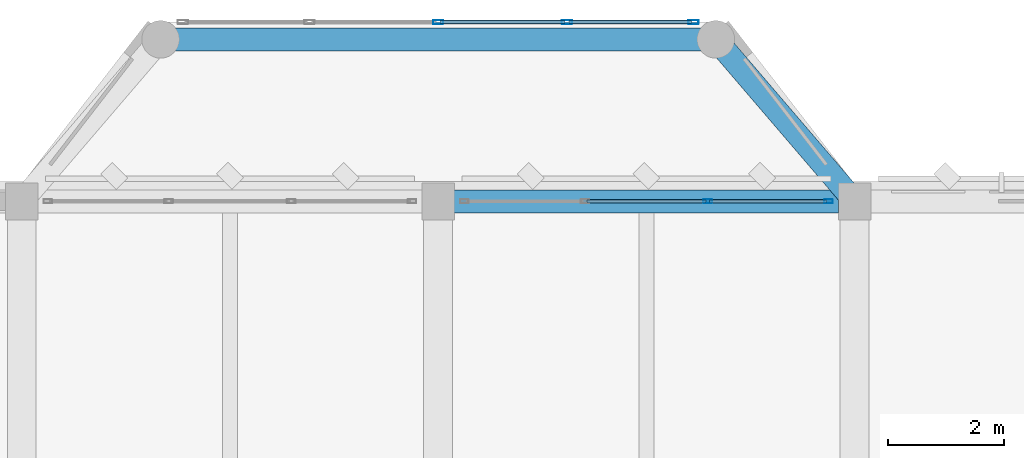
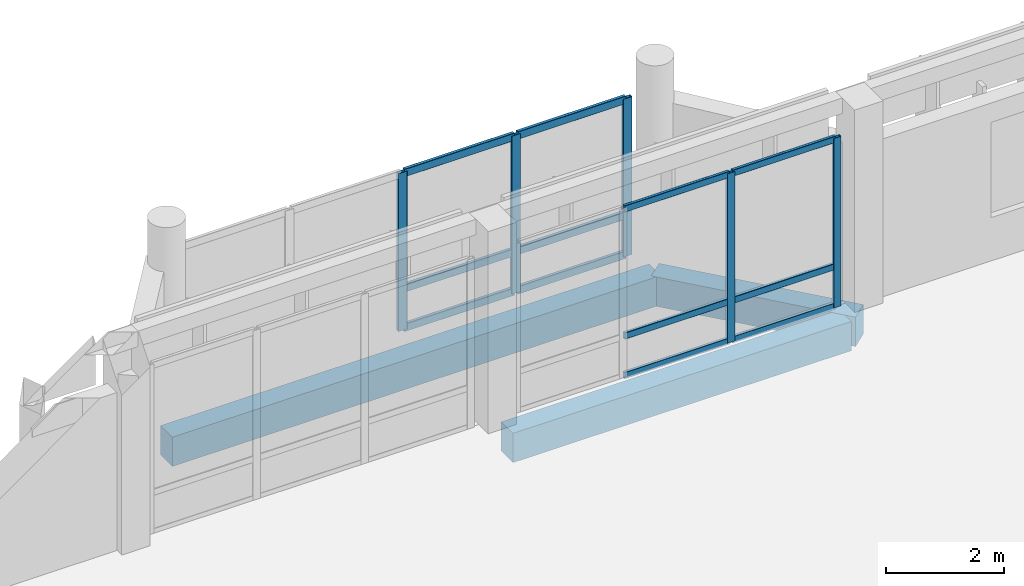
# One storey, part 113 of 158: 17 members, 3 beams, 2 elements without a shape of their own.
"""IFC4 building model written with IfcOpenShell, lengths in metres."""

from ifc_helpers import new_model, si_unit, direction, frame, origin, origin_2d, place, context, subcontext, project, spatial, rectangle, hollow_rectangle, extrude, material, material_profile, profile_set, type_object, element, aggregate, save


model = new_model("IFC4")

# Units and contexts
model_context = context("Model", 3, precision=1e-05, world=origin(), true_north=direction((0.0, 1.0)))
body_context = subcontext(model_context, "Body", "Model", "MODEL_VIEW")
ifc_project = project(units=[si_unit("LENGTHUNIT", "METRE"), si_unit("AREAUNIT", "SQUARE_METRE"), si_unit("VOLUMEUNIT", "CUBIC_METRE"), si_unit("PLANEANGLEUNIT", "RADIAN"), si_unit("MASSUNIT", "GRAM", prefix="KILO")], contexts=[model_context])

# Site, building, storey
site_placement = place(None, origin())
site = spatial("IfcSite", under=ifc_project, at=site_placement, CompositionType="ELEMENT")
building_placement = place(site_placement, origin())
building = spatial("IfcBuilding", under=site, at=building_placement, Name="Lusvemor Sports Hall", CompositionType="ELEMENT")
storey_placement = place(building_placement, frame((0.0, 0.0, 10.800048828125)))
storey = spatial("IfcBuildingStorey", under=building, at=storey_placement, Name="L02", CompositionType="ELEMENT", Elevation=10.800048828125)

# Curtain wall, members
ifc_material_1 = material(Name="Thermally broken bronze-anodized aluminium", Category="aluminium")
curtain_wall_type_1 = type_object("IfcCurtainWallType", Name="CW_FOYER_A", PredefinedType="NOTDEFINED", material=ifc_material_1)
curtain_wall_1_placement = place(storey_placement, origin())
curtain_wall_1 = element("IfcCurtainWall", 1, at=curtain_wall_1_placement, inside=storey, type_object=curtain_wall_type_1, Name="Curtain Wall CW-BOW-N3-L02-M", PredefinedType="NOTDEFINED")
ifc_material_2 = material(Name="Thermally broken bronze-anodized aluminium", Category="aluminium")
ifc_material_profile_1 = material_profile(ifc_material_2, hollow_rectangle(XDim=0.070068359375, YDim=0.179931640625, WallThickness=0.0048828125, InnerFilletRadius=0.0048828125, OuterFilletRadius=0.010009765625, at=origin_2d()), Name="CWMUL180x70x5")
ifc_profile_set_1 = profile_set([ifc_material_profile_1], Name="Thermally broken bronze-anodized aluminium")
member_type_1 = type_object("IfcMemberType", Name="CW_MUL_A", PredefinedType="MULLION", material=ifc_profile_set_1)
member_1_placement = place(storey_placement, frame((133.199951171875, 118.300048828125, 0.0), z_axis=(0.0, 0.0, 1.0), x_axis=(0.0, 1.0, 0.0)))
member_1 = element("IfcMember", 2, at=member_1_placement, type_object=member_type_1, Name="CW01 mullion 3", PredefinedType="MULLION", context=body_context, shape_type="SweptSolid", body=[
    extrude(hollow_rectangle(XDim=0.070068359375, YDim=0.179931640625, WallThickness=0.0048828125, InnerFilletRadius=0.0048828125, OuterFilletRadius=0.010009765625, at=origin_2d()), origin(), (0.0, 0.0, 1.0), 3.280029296875),
])
member_2_placement = place(storey_placement, frame((135.425048828125, 118.300048828125, 0.0), z_axis=(0.0, 0.0, 1.0), x_axis=(0.0, 1.0, 0.0)))
member_2 = element("IfcMember", 3, at=member_2_placement, type_object=member_type_1, Name="CW01 mullion 4", PredefinedType="MULLION", context=body_context, shape_type="SweptSolid", body=[
    extrude(hollow_rectangle(XDim=0.070068359375, YDim=0.179931640625, WallThickness=0.0048828125, InnerFilletRadius=0.0048828125, OuterFilletRadius=0.010009765625, at=origin_2d()), origin(), (0.0, 0.0, 1.0), 3.280029296875),
])
member_3_placement = place(storey_placement, frame((137.614990234375, 118.300048828125, 0.0), z_axis=(0.0, 0.0, 1.0), x_axis=(0.0, 1.0, 0.0)))
member_3 = element("IfcMember", 4, at=member_3_placement, type_object=member_type_1, Name="CW01 mullion 5", PredefinedType="MULLION", context=body_context, shape_type="SweptSolid", body=[
    extrude(hollow_rectangle(XDim=0.070068359375, YDim=0.179931640625, WallThickness=0.0048828125, InnerFilletRadius=0.0048828125, OuterFilletRadius=0.010009765625, at=origin_2d()), origin(), (0.0, 0.0, 1.0), 3.280029296875),
])

ifc_material_3 = material(Name="Thermally broken bronze-anodized aluminium", Category="aluminium")
curtain_wall_type_2 = type_object("IfcCurtainWallType", Name="CW_WING_B", PredefinedType="NOTDEFINED", material=ifc_material_3)
curtain_wall_2_placement = place(storey_placement, origin())
curtain_wall_2 = element("IfcCurtainWall", 5, at=curtain_wall_2_placement, inside=storey, type_object=curtain_wall_type_2, Name="Curtain Wall CW-L02-N-1-14", PredefinedType="NOTDEFINED")
ifc_material_4 = material(Name="Thermally broken bronze-anodized aluminium", Category="aluminium")
ifc_material_profile_2 = material_profile(ifc_material_4, hollow_rectangle(XDim=0.06494140625, YDim=0.14990234375, WallThickness=0.00390625, InnerFilletRadius=0.00390625, OuterFilletRadius=0.008056640625, at=origin_2d()), Name="CWMUL150x65x4")
ifc_profile_set_2 = profile_set([ifc_material_profile_2], Name="Thermally broken bronze-anodized aluminium")
member_type_2 = type_object("IfcMemberType", Name="CW_MUL_B", PredefinedType="MULLION", material=ifc_profile_set_2)
member_4_placement = place(storey_placement, frame((137.860107421875, 115.199951171875, 0.0), z_axis=(0.0, 0.0, 1.0), x_axis=(0.0, 1.0, 0.0)))
member_4 = element("IfcMember", 6, at=member_4_placement, type_object=member_type_2, Name="CW02 mullion 3", PredefinedType="MULLION", context=body_context, shape_type="SweptSolid", body=[
    extrude(hollow_rectangle(XDim=0.06494140625, YDim=0.14990234375, WallThickness=0.00390625, InnerFilletRadius=0.00390625, OuterFilletRadius=0.008056640625, at=origin_2d()), origin(), (0.0, 0.0, 1.0), 3.52001953125),
])
member_5_placement = place(storey_placement, frame((139.947509765625, 115.199951171875, 0.0), z_axis=(0.0, 0.0, 1.0), x_axis=(0.0, 1.0, 0.0)))
member_5 = element("IfcMember", 7, at=member_5_placement, type_object=member_type_2, Name="CW02 mullion 4", PredefinedType="MULLION", context=body_context, shape_type="SweptSolid", body=[
    extrude(hollow_rectangle(XDim=0.06494140625, YDim=0.14990234375, WallThickness=0.00390625, InnerFilletRadius=0.00390625, OuterFilletRadius=0.008056640625, at=origin_2d()), origin(), (0.0, 0.0, 1.0), 3.52001953125),
])

# Member
ifc_material_5 = material(Name="Thermally broken bronze-anodized aluminium", Category="aluminium")
ifc_material_profile_3 = material_profile(ifc_material_5, hollow_rectangle(XDim=0.06494140625, YDim=0.159912109375, WallThickness=0.00390625, InnerFilletRadius=0.00390625, OuterFilletRadius=0.008056640625, at=origin_2d()), Name="CWTRN160x65x4")
ifc_profile_set_3 = profile_set([ifc_material_profile_3], Name="Thermally broken bronze-anodized aluminium")
member_type_3 = type_object("IfcMemberType", Name="CW_TRN_A", PredefinedType="USERDEFINED", material=ifc_profile_set_3)
member_6_placement = place(storey_placement, frame((133.235107421875, 118.300048828125, 0.032470703125), z_axis=(1.0, 0.0, 0.0), x_axis=(0.0, 1.0, 0.0)))
member_6 = element("IfcMember", 8, at=member_6_placement, type_object=member_type_3, Name="CW01 transom 3.1", ObjectType="TRANSOM", PredefinedType="USERDEFINED", context=body_context, shape_type="SweptSolid", body=[
    extrude(hollow_rectangle(XDim=0.06494140625, YDim=0.159912109375, WallThickness=0.00390625, InnerFilletRadius=0.00390625, OuterFilletRadius=0.008056640625, at=origin_2d()), origin(), (0.0, 0.0, 1.0), 2.15478515625),
])

member_7_placement = place(storey_placement, frame((133.235107421875, 118.300048828125, 0.849853515625), z_axis=(1.0, 0.0, 0.0), x_axis=(0.0, 1.0, 0.0)))
member_7 = element("IfcMember", 9, at=member_7_placement, type_object=member_type_3, Name="CW01 transom 3.2", ObjectType="TRANSOM", PredefinedType="USERDEFINED", context=body_context, shape_type="SweptSolid", body=[
    extrude(hollow_rectangle(XDim=0.06494140625, YDim=0.159912109375, WallThickness=0.00390625, InnerFilletRadius=0.00390625, OuterFilletRadius=0.008056640625, at=origin_2d()), origin(), (0.0, 0.0, 1.0), 2.15478515625),
])

member_8_placement = place(storey_placement, frame((133.235107421875, 118.300048828125, 3.24755859375), z_axis=(1.0, 0.0, 0.0), x_axis=(0.0, 1.0, 0.0)))
member_8 = element("IfcMember", 10, at=member_8_placement, type_object=member_type_3, Name="CW01 transom 3.3", ObjectType="TRANSOM", PredefinedType="USERDEFINED", context=body_context, shape_type="SweptSolid", body=[
    extrude(hollow_rectangle(XDim=0.06494140625, YDim=0.159912109375, WallThickness=0.00390625, InnerFilletRadius=0.00390625, OuterFilletRadius=0.008056640625, at=origin_2d()), origin(), (0.0, 0.0, 1.0), 2.15478515625),
])

member_9_placement = place(storey_placement, frame((135.4599609375, 118.300048828125, 0.032470703125), z_axis=(1.0, 0.0, 0.0), x_axis=(0.0, 1.0, 0.0)))
member_9 = element("IfcMember", 11, at=member_9_placement, type_object=member_type_3, Name="CW01 transom 4.1", ObjectType="TRANSOM", PredefinedType="USERDEFINED", context=body_context, shape_type="SweptSolid", body=[
    extrude(hollow_rectangle(XDim=0.06494140625, YDim=0.159912109375, WallThickness=0.00390625, InnerFilletRadius=0.00390625, OuterFilletRadius=0.008056640625, at=origin_2d()), origin(), (0.0, 0.0, 1.0), 2.1201171875),
])

member_10_placement = place(storey_placement, frame((135.4599609375, 118.300048828125, 0.849853515625), z_axis=(1.0, 0.0, 0.0), x_axis=(0.0, 1.0, 0.0)))
member_10 = element("IfcMember", 12, at=member_10_placement, type_object=member_type_3, Name="CW01 transom 4.2", ObjectType="TRANSOM", PredefinedType="USERDEFINED", context=body_context, shape_type="SweptSolid", body=[
    extrude(hollow_rectangle(XDim=0.06494140625, YDim=0.159912109375, WallThickness=0.00390625, InnerFilletRadius=0.00390625, OuterFilletRadius=0.008056640625, at=origin_2d()), origin(), (0.0, 0.0, 1.0), 2.1201171875),
])

member_11_placement = place(storey_placement, frame((135.4599609375, 118.300048828125, 3.24755859375), z_axis=(1.0, 0.0, 0.0), x_axis=(0.0, 1.0, 0.0)))
member_11 = element("IfcMember", 13, at=member_11_placement, type_object=member_type_3, Name="CW01 transom 4.3", ObjectType="TRANSOM", PredefinedType="USERDEFINED", context=body_context, shape_type="SweptSolid", body=[
    extrude(hollow_rectangle(XDim=0.06494140625, YDim=0.159912109375, WallThickness=0.00390625, InnerFilletRadius=0.00390625, OuterFilletRadius=0.008056640625, at=origin_2d()), origin(), (0.0, 0.0, 1.0), 2.1201171875),
])

aggregate(curtain_wall_1, [member_1, member_2, member_3, member_6, member_7, member_8, member_9, member_10, member_11])

ifc_material_6 = material(Name="Thermally broken bronze-anodized aluminium", Category="aluminium")
ifc_material_profile_4 = material_profile(ifc_material_6, hollow_rectangle(XDim=0.06005859375, YDim=0.135009765625, WallThickness=0.00390625, InnerFilletRadius=0.00390625, OuterFilletRadius=0.008056640625, at=origin_2d()), Name="CWTRN135x60x4")
ifc_profile_set_4 = profile_set([ifc_material_profile_4], Name="Thermally broken bronze-anodized aluminium")
member_type_4 = type_object("IfcMemberType", Name="CW_TRN_B", PredefinedType="USERDEFINED", material=ifc_profile_set_4)
member_12_placement = place(storey_placement, frame((135.7724609375, 115.199951171875, 0.030029296875), z_axis=(1.0, 0.0, 0.0), x_axis=(0.0, 1.0, 0.0)))
member_12 = element("IfcMember", 14, at=member_12_placement, type_object=member_type_4, Name="CW02 transom 2.1", ObjectType="TRANSOM", PredefinedType="USERDEFINED", context=body_context, shape_type="SweptSolid", body=[
    extrude(hollow_rectangle(XDim=0.06005859375, YDim=0.135009765625, WallThickness=0.00390625, InnerFilletRadius=0.00390625, OuterFilletRadius=0.008056640625, at=origin_2d()), origin(), (0.0, 0.0, 1.0), 2.054931640625),
])

member_13_placement = place(storey_placement, frame((135.7724609375, 115.199951171875, 0.849853515625), z_axis=(1.0, 0.0, 0.0), x_axis=(0.0, 1.0, 0.0)))
member_13 = element("IfcMember", 15, at=member_13_placement, type_object=member_type_4, Name="CW02 transom 2.2", ObjectType="TRANSOM", PredefinedType="USERDEFINED", context=body_context, shape_type="SweptSolid", body=[
    extrude(hollow_rectangle(XDim=0.06005859375, YDim=0.135009765625, WallThickness=0.00390625, InnerFilletRadius=0.00390625, OuterFilletRadius=0.008056640625, at=origin_2d()), origin(), (0.0, 0.0, 1.0), 2.054931640625),
])

member_14_placement = place(storey_placement, frame((135.7724609375, 115.199951171875, 3.489990234375), z_axis=(1.0, 0.0, 0.0), x_axis=(0.0, 1.0, 0.0)))
member_14 = element("IfcMember", 16, at=member_14_placement, type_object=member_type_4, Name="CW02 transom 2.3", ObjectType="TRANSOM", PredefinedType="USERDEFINED", context=body_context, shape_type="SweptSolid", body=[
    extrude(hollow_rectangle(XDim=0.06005859375, YDim=0.135009765625, WallThickness=0.00390625, InnerFilletRadius=0.00390625, OuterFilletRadius=0.008056640625, at=origin_2d()), origin(), (0.0, 0.0, 1.0), 2.054931640625),
])

member_15_placement = place(storey_placement, frame((137.892578125, 115.199951171875, 0.030029296875), z_axis=(1.0, 0.0, 0.0), x_axis=(0.0, 1.0, 0.0)))
member_15 = element("IfcMember", 17, at=member_15_placement, type_object=member_type_4, Name="CW02 transom 3.1", ObjectType="TRANSOM", PredefinedType="USERDEFINED", context=body_context, shape_type="SweptSolid", body=[
    extrude(hollow_rectangle(XDim=0.06005859375, YDim=0.135009765625, WallThickness=0.00390625, InnerFilletRadius=0.00390625, OuterFilletRadius=0.008056640625, at=origin_2d()), origin(), (0.0, 0.0, 1.0), 2.0224609375),
])

member_16_placement = place(storey_placement, frame((137.892578125, 115.199951171875, 0.849853515625), z_axis=(1.0, 0.0, 0.0), x_axis=(0.0, 1.0, 0.0)))
member_16 = element("IfcMember", 18, at=member_16_placement, type_object=member_type_4, Name="CW02 transom 3.2", ObjectType="TRANSOM", PredefinedType="USERDEFINED", context=body_context, shape_type="SweptSolid", body=[
    extrude(hollow_rectangle(XDim=0.06005859375, YDim=0.135009765625, WallThickness=0.00390625, InnerFilletRadius=0.00390625, OuterFilletRadius=0.008056640625, at=origin_2d()), origin(), (0.0, 0.0, 1.0), 2.0224609375),
])

member_17_placement = place(storey_placement, frame((137.892578125, 115.199951171875, 3.489990234375), z_axis=(1.0, 0.0, 0.0), x_axis=(0.0, 1.0, 0.0)))
member_17 = element("IfcMember", 19, at=member_17_placement, type_object=member_type_4, Name="CW02 transom 3.3", ObjectType="TRANSOM", PredefinedType="USERDEFINED", context=body_context, shape_type="SweptSolid", body=[
    extrude(hollow_rectangle(XDim=0.06005859375, YDim=0.135009765625, WallThickness=0.00390625, InnerFilletRadius=0.00390625, OuterFilletRadius=0.008056640625, at=origin_2d()), origin(), (0.0, 0.0, 1.0), 2.0224609375),
])

aggregate(curtain_wall_2, [member_4, member_5, member_12, member_13, member_14, member_15, member_16, member_17])

# Beams
ifc_material_7 = material(Name="Concrete C40/50", Category="concrete")
ifc_material_profile_5 = material_profile(ifc_material_7, rectangle(XDim=0.39990234375, YDim=0.610107421875, at=origin_2d()), Name="RC400x610")
ifc_profile_set_5 = profile_set([ifc_material_profile_5], Name="Concrete C40/50")
beam_type = type_object("IfcBeamType", Name="SPAND_EXT_650", PredefinedType="SPANDREL", material=ifc_profile_set_5)
beam_1_placement = place(storey_placement, frame((133.47607421875, 115.199951171875, -0.56494140625), z_axis=(1.0, 0.0, 0.0), x_axis=(0.0, 1.0, 0.0)))
element("IfcBeam", 20, at=beam_1_placement, inside=storey, type_object=beam_type, Name="Beam L02 Q:15-16", PredefinedType="SPANDREL", context=body_context, shape_type="SweptSolid", body=[
    extrude(rectangle(XDim=0.39990234375, YDim=0.610107421875, at=origin_2d()), origin(), (0.0, 0.0, 1.0), 6.64794921875),
])
beam_2_placement = place(storey_placement, frame((128.39990234375, 118.0, -0.56494140625), z_axis=(1.0, 0.0, 0.0), x_axis=(0.0, 1.0, 0.0)))
element("IfcBeam", 21, at=beam_2_placement, inside=storey, type_object=beam_type, Name="Bow Pavilion Edge Beam BOW-N3 L02-2", PredefinedType="SPANDREL", context=body_context, shape_type="SweptSolid", body=[
    extrude(rectangle(XDim=0.39990234375, YDim=0.610107421875, at=origin_2d()), origin(), (0.0, 0.0, 1.0), 9.60009765625),
])
beam_3_placement = place(storey_placement, frame((138.0, 118.0, -0.56494140625), z_axis=(0.650769565339, -0.759275294494, 0.0), x_axis=(0.759275294494, 0.650769565339, 0.0)))
element("IfcBeam", 22, at=beam_3_placement, inside=storey, type_object=beam_type, Name="Bow Pavilion Edge Beam BOW-N3 L02-3", PredefinedType="SPANDREL", context=body_context, shape_type="SweptSolid", body=[
    extrude(rectangle(XDim=0.39990234375, YDim=0.610107421875, at=origin_2d()), origin(), (0.0, 0.0, 1.0), 3.687744140625),
])

save(model, "model.ifc")
